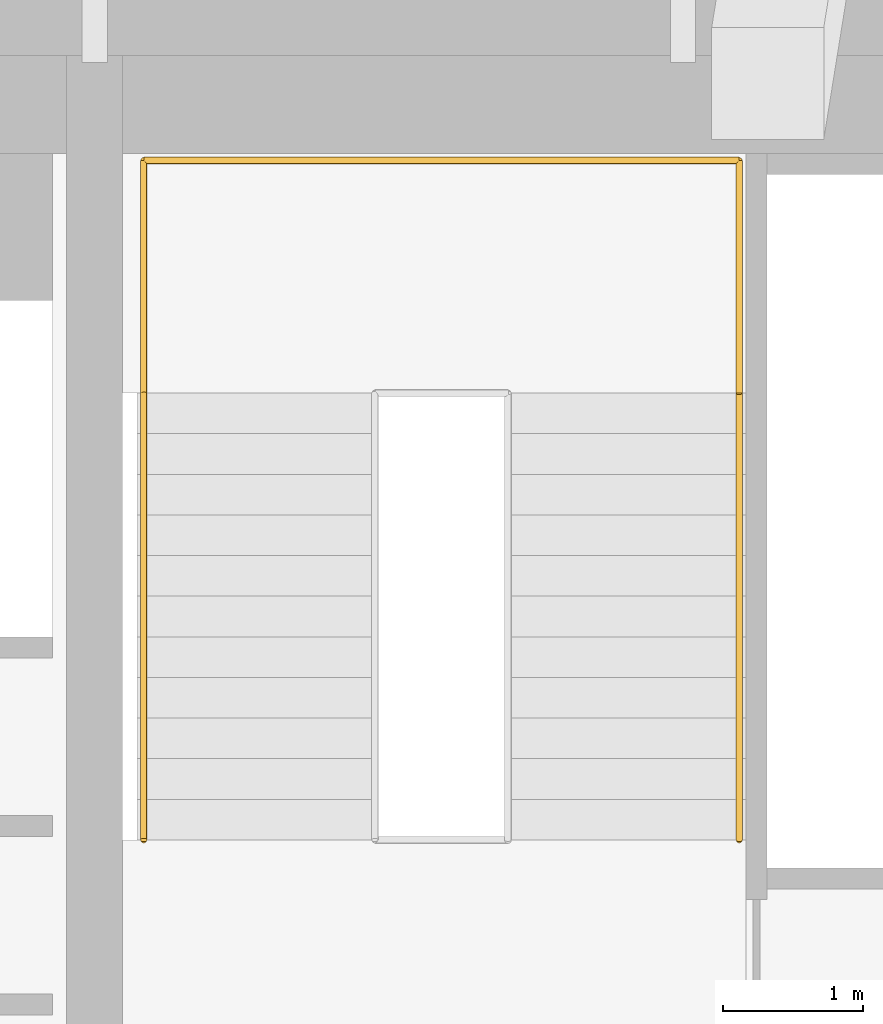
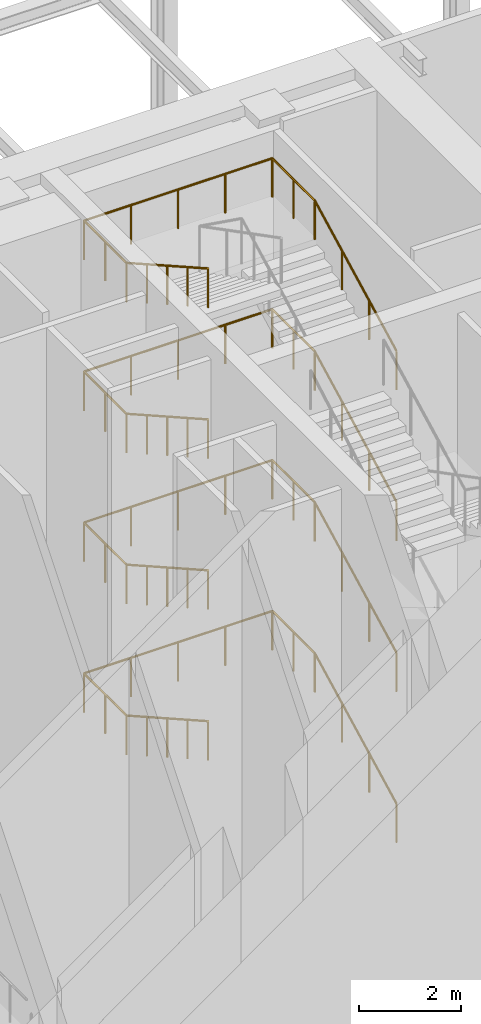
# One storey, part 20 of 20: 4 railings.
"""IFC4 building model written with IfcOpenShell, lengths in metres."""

from ifc_helpers import new_model, si_unit, direction, frame, origin, origin_2d, place, context, subcontext, project, spatial, circle, extrude, material, type_object, element, save


model = new_model("IFC4")

# Units and contexts
model_context = context("Model", 3, precision=1e-05, world=origin(), true_north=direction((0.0, 1.0)))
body_context = subcontext(model_context, "Body", "Model", "MODEL_VIEW")
ifc_project = project(units=[si_unit("LENGTHUNIT", "METRE"), si_unit("AREAUNIT", "SQUARE_METRE"), si_unit("VOLUMEUNIT", "CUBIC_METRE"), si_unit("PLANEANGLEUNIT", "RADIAN"), si_unit("MASSUNIT", "GRAM", prefix="KILO")], contexts=[model_context])

# Site, building, storey
site_placement = place(None, origin())
site = spatial("IfcSite", under=ifc_project, at=site_placement, CompositionType="ELEMENT")
building_placement = place(site_placement, origin())
building = spatial("IfcBuilding", under=site, at=building_placement, Name="Marenta Gate Hotel Tower", CompositionType="ELEMENT")
storey_placement = place(building_placement, frame((0.0, 0.0, 252.5)))
storey = spatial("IfcBuildingStorey", under=building, at=storey_placement, Name="L60", CompositionType="ELEMENT", Elevation=252.5)

# Railings
ifc_material = material(Name="Stainless steel", Category="steel")
railing_type = type_object("IfcRailingType", Name="Core stair handrail 950", PredefinedType="HANDRAIL", material=ifc_material)
railing_1_placement = place(storey_placement, frame((8.800048828125, 10.39990234375, 0.14990234375)))
element("IfcRailing", 1, at=railing_1_placement, inside=storey, type_object=railing_type, Name="HR-950 L60-KR-ST4-1", PredefinedType="HANDRAIL", context=body_context, shape_type="SweptSolid", body=[
    extrude(circle(Radius=0.02392578125, at=origin_2d()), frame((0.0, 0.0, 0.92578125), z_axis=(0.0, 0.888211904222, 0.459434013977), x_axis=(-1.0, 0.0, 0.0)), (0.0, 0.0, 1.0), 3.591796875),
    extrude(circle(Radius=0.02392578125, at=origin_2d()), frame((0.0, 3.190185546875, 2.576171875), z_axis=(0.0, 1.0, 0.0), x_axis=(-1.0, 0.0, 0.0)), (0.0, 0.0, 1.0), 1.659912109375),
    extrude(circle(Radius=0.02392578125, at=origin_2d()), frame((0.0, 4.85009765625, 2.576171875), z_axis=(-1.0, 0.0, 0.0), x_axis=(0.0, -1.0, 0.0)), (0.0, 0.0, 1.0), 4.25),
    extrude(circle(Radius=0.02392578125, at=origin_2d()), frame((-4.25, 4.85009765625, 2.576171875), z_axis=(0.0, -1.0, 0.0), x_axis=(1.0, 0.0, 0.0)), (0.0, 0.0, 1.0), 1.659912109375),
    extrude(circle(Radius=0.02392578125, at=origin_2d()), frame((-4.25, 3.190185546875, 2.576171875), z_axis=(0.0, -0.870925075533, 0.491415824742), x_axis=(1.0, 0.0, 0.0)), (0.0, 0.0, 1.0), 3.6630859375),
    extrude(circle(Radius=0.02099609375, at=origin_2d()), origin(), (0.0, 0.0, 1.0), 0.90185546875),
    extrude(circle(Radius=0.02099609375, at=origin_2d()), frame((0.0, 1.0634765625, 0.550048828125)), (0.0, 0.0, 1.0), 0.90185546875),
    extrude(circle(Radius=0.02099609375, at=origin_2d()), frame((0.0, 2.126708984375, 1.10009765625)), (0.0, 0.0, 1.0), 0.90185546875),
    extrude(circle(Radius=0.02099609375, at=origin_2d()), frame((0.0, 3.190185546875, 1.650146484375)), (0.0, 0.0, 1.0), 0.90185546875),
    extrude(circle(Radius=0.02099609375, at=origin_2d()), frame((0.0, 4.02001953125, 1.650146484375)), (0.0, 0.0, 1.0), 0.90185546875),
    extrude(circle(Radius=0.02099609375, at=origin_2d()), frame((0.0, 4.85009765625, 1.650146484375)), (0.0, 0.0, 1.0), 0.90185546875),
    extrude(circle(Radius=0.02099609375, at=origin_2d()), frame((-1.0625, 4.85009765625, 1.650146484375)), (0.0, 0.0, 1.0), 0.90185546875),
    extrude(circle(Radius=0.02099609375, at=origin_2d()), frame((-2.125, 4.85009765625, 1.650146484375)), (0.0, 0.0, 1.0), 0.90185546875),
    extrude(circle(Radius=0.02099609375, at=origin_2d()), frame((-3.1875, 4.85009765625, 1.650146484375)), (0.0, 0.0, 1.0), 0.90185546875),
    extrude(circle(Radius=0.02099609375, at=origin_2d()), frame((-4.25, 4.85009765625, 1.650146484375)), (0.0, 0.0, 1.0), 0.90185546875),
    extrude(circle(Radius=0.02099609375, at=origin_2d()), frame((-4.25, 4.02001953125, 1.650146484375)), (0.0, 0.0, 1.0), 0.90185546875),
    extrude(circle(Radius=0.02099609375, at=origin_2d()), frame((-4.25, 3.190185546875, 1.650146484375)), (0.0, 0.0, 1.0), 0.90185546875),
    extrude(circle(Radius=0.02099609375, at=origin_2d()), frame((-4.25, 2.392578125, 2.10009765625)), (0.0, 0.0, 1.0), 0.90185546875),
    extrude(circle(Radius=0.02099609375, at=origin_2d()), frame((-4.25, 1.59521484375, 2.55029296875)), (0.0, 0.0, 1.0), 0.90185546875),
    extrude(circle(Radius=0.02099609375, at=origin_2d()), frame((-4.25, 0.797607421875, 3.000244140625)), (0.0, 0.0, 1.0), 0.90185546875),
    extrude(circle(Radius=0.02099609375, at=origin_2d()), frame((-4.25, 0.0, 3.4501953125)), (0.0, 0.0, 1.0), 0.90185546875),
])
railing_2_placement = place(storey_placement, frame((8.800048828125, 10.39990234375, 3.75)))
element("IfcRailing", 2, at=railing_2_placement, inside=storey, type_object=railing_type, Name="HR-950 L60-KR-ST4-3", PredefinedType="HANDRAIL", context=body_context, shape_type="SweptSolid", body=[
    extrude(circle(Radius=0.02392578125, at=origin_2d()), frame((0.0, 0.0, 0.92578125), z_axis=(0.0, 0.888239641807, 0.459380385653), x_axis=(-1.0, 0.0, 0.0)), (0.0, 0.0, 1.0), 3.591552734375),
    extrude(circle(Radius=0.02392578125, at=origin_2d()), frame((0.0, 3.190185546875, 2.57568359375), z_axis=(0.0, 1.0, 0.0), x_axis=(-1.0, 0.0, 0.0)), (0.0, 0.0, 1.0), 1.659912109375),
    extrude(circle(Radius=0.02392578125, at=origin_2d()), frame((0.0, 4.85009765625, 2.57568359375), z_axis=(-1.0, 0.0, 0.0), x_axis=(0.0, -1.0, 0.0)), (0.0, 0.0, 1.0), 4.25),
    extrude(circle(Radius=0.02392578125, at=origin_2d()), frame((-4.25, 4.85009765625, 2.57568359375), z_axis=(0.0, -1.0, 0.0), x_axis=(1.0, 0.0, 0.0)), (0.0, 0.0, 1.0), 1.659912109375),
    extrude(circle(Radius=0.02392578125, at=origin_2d()), frame((-4.25, 3.190185546875, 2.57568359375), z_axis=(0.0, -0.870925075533, 0.491415824742), x_axis=(1.0, 0.0, 0.0)), (0.0, 0.0, 1.0), 3.6630859375),
    extrude(circle(Radius=0.02099609375, at=origin_2d()), origin(), (0.0, 0.0, 1.0), 0.90185546875),
    extrude(circle(Radius=0.02099609375, at=origin_2d()), frame((0.0, 1.0634765625, 0.550048828125)), (0.0, 0.0, 1.0), 0.90185546875),
    extrude(circle(Radius=0.02099609375, at=origin_2d()), frame((0.0, 2.126708984375, 1.099853515625)), (0.0, 0.0, 1.0), 0.90185546875),
    extrude(circle(Radius=0.02099609375, at=origin_2d()), frame((0.0, 3.190185546875, 1.64990234375)), (0.0, 0.0, 1.0), 0.90185546875),
    extrude(circle(Radius=0.02099609375, at=origin_2d()), frame((0.0, 4.02001953125, 1.64990234375)), (0.0, 0.0, 1.0), 0.90185546875),
    extrude(circle(Radius=0.02099609375, at=origin_2d()), frame((0.0, 4.85009765625, 1.64990234375)), (0.0, 0.0, 1.0), 0.90185546875),
    extrude(circle(Radius=0.02099609375, at=origin_2d()), frame((-1.0625, 4.85009765625, 1.64990234375)), (0.0, 0.0, 1.0), 0.90185546875),
    extrude(circle(Radius=0.02099609375, at=origin_2d()), frame((-2.125, 4.85009765625, 1.64990234375)), (0.0, 0.0, 1.0), 0.90185546875),
    extrude(circle(Radius=0.02099609375, at=origin_2d()), frame((-3.1875, 4.85009765625, 1.64990234375)), (0.0, 0.0, 1.0), 0.90185546875),
    extrude(circle(Radius=0.02099609375, at=origin_2d()), frame((-4.25, 4.85009765625, 1.64990234375)), (0.0, 0.0, 1.0), 0.90185546875),
    extrude(circle(Radius=0.02099609375, at=origin_2d()), frame((-4.25, 4.02001953125, 1.64990234375)), (0.0, 0.0, 1.0), 0.90185546875),
    extrude(circle(Radius=0.02099609375, at=origin_2d()), frame((-4.25, 3.190185546875, 1.64990234375)), (0.0, 0.0, 1.0), 0.90185546875),
    extrude(circle(Radius=0.02099609375, at=origin_2d()), frame((-4.25, 2.392578125, 2.099853515625)), (0.0, 0.0, 1.0), 0.90185546875),
    extrude(circle(Radius=0.02099609375, at=origin_2d()), frame((-4.25, 1.59521484375, 2.5498046875)), (0.0, 0.0, 1.0), 0.90185546875),
    extrude(circle(Radius=0.02099609375, at=origin_2d()), frame((-4.25, 0.797607421875, 3.0)), (0.0, 0.0, 1.0), 0.90185546875),
    extrude(circle(Radius=0.02099609375, at=origin_2d()), frame((-4.25, 0.0, 3.449951171875)), (0.0, 0.0, 1.0), 0.90185546875),
])
railing_3_placement = place(storey_placement, frame((8.800048828125, 10.39990234375, 7.35009765625)))
element("IfcRailing", 3, at=railing_3_placement, inside=storey, type_object=railing_type, Name="HR-950 L60-KR-ST4-5", PredefinedType="HANDRAIL", context=body_context, shape_type="SweptSolid", body=[
    extrude(circle(Radius=0.02392578125, at=origin_2d()), frame((0.0, 0.0, 0.92578125), z_axis=(0.0, 0.888239641807, 0.459380385653), x_axis=(-1.0, 0.0, 0.0)), (0.0, 0.0, 1.0), 3.591552734375),
    extrude(circle(Radius=0.02392578125, at=origin_2d()), frame((0.0, 3.190185546875, 2.57568359375), z_axis=(0.0, 1.0, 0.0), x_axis=(-1.0, 0.0, 0.0)), (0.0, 0.0, 1.0), 1.659912109375),
    extrude(circle(Radius=0.02392578125, at=origin_2d()), frame((0.0, 4.85009765625, 2.57568359375), z_axis=(-1.0, 0.0, 0.0), x_axis=(0.0, -1.0, 0.0)), (0.0, 0.0, 1.0), 4.25),
    extrude(circle(Radius=0.02392578125, at=origin_2d()), frame((-4.25, 4.85009765625, 2.57568359375), z_axis=(0.0, -1.0, 0.0), x_axis=(1.0, 0.0, 0.0)), (0.0, 0.0, 1.0), 1.659912109375),
    extrude(circle(Radius=0.02392578125, at=origin_2d()), frame((-4.25, 3.190185546875, 2.57568359375), z_axis=(0.0, -0.870925075533, 0.491415824742), x_axis=(1.0, 0.0, 0.0)), (0.0, 0.0, 1.0), 3.6630859375),
    extrude(circle(Radius=0.02099609375, at=origin_2d()), origin(), (0.0, 0.0, 1.0), 0.90185546875),
    extrude(circle(Radius=0.02099609375, at=origin_2d()), frame((0.0, 1.0634765625, 0.550048828125)), (0.0, 0.0, 1.0), 0.90185546875),
    extrude(circle(Radius=0.02099609375, at=origin_2d()), frame((0.0, 2.126708984375, 1.099853515625)), (0.0, 0.0, 1.0), 0.90185546875),
    extrude(circle(Radius=0.02099609375, at=origin_2d()), frame((0.0, 3.190185546875, 1.64990234375)), (0.0, 0.0, 1.0), 0.90185546875),
    extrude(circle(Radius=0.02099609375, at=origin_2d()), frame((0.0, 4.02001953125, 1.64990234375)), (0.0, 0.0, 1.0), 0.90185546875),
    extrude(circle(Radius=0.02099609375, at=origin_2d()), frame((0.0, 4.85009765625, 1.64990234375)), (0.0, 0.0, 1.0), 0.90185546875),
    extrude(circle(Radius=0.02099609375, at=origin_2d()), frame((-1.0625, 4.85009765625, 1.64990234375)), (0.0, 0.0, 1.0), 0.90185546875),
    extrude(circle(Radius=0.02099609375, at=origin_2d()), frame((-2.125, 4.85009765625, 1.64990234375)), (0.0, 0.0, 1.0), 0.90185546875),
    extrude(circle(Radius=0.02099609375, at=origin_2d()), frame((-3.1875, 4.85009765625, 1.64990234375)), (0.0, 0.0, 1.0), 0.90185546875),
    extrude(circle(Radius=0.02099609375, at=origin_2d()), frame((-4.25, 4.85009765625, 1.64990234375)), (0.0, 0.0, 1.0), 0.90185546875),
    extrude(circle(Radius=0.02099609375, at=origin_2d()), frame((-4.25, 4.02001953125, 1.64990234375)), (0.0, 0.0, 1.0), 0.90185546875),
    extrude(circle(Radius=0.02099609375, at=origin_2d()), frame((-4.25, 3.190185546875, 1.64990234375)), (0.0, 0.0, 1.0), 0.90185546875),
    extrude(circle(Radius=0.02099609375, at=origin_2d()), frame((-4.25, 2.392578125, 2.099853515625)), (0.0, 0.0, 1.0), 0.90185546875),
    extrude(circle(Radius=0.02099609375, at=origin_2d()), frame((-4.25, 1.59521484375, 2.5498046875)), (0.0, 0.0, 1.0), 0.90185546875),
    extrude(circle(Radius=0.02099609375, at=origin_2d()), frame((-4.25, 0.797607421875, 3.0)), (0.0, 0.0, 1.0), 0.90185546875),
    extrude(circle(Radius=0.02099609375, at=origin_2d()), frame((-4.25, 0.0, 3.449951171875)), (0.0, 0.0, 1.0), 0.90185546875),
])
railing_4_placement = place(storey_placement, frame((8.800048828125, 10.39990234375, 10.949951171875)))
element("IfcRailing", 4, at=railing_4_placement, inside=storey, type_object=railing_type, Name="HR-950 L60-KR-ST4-7", PredefinedType="HANDRAIL", context=body_context, shape_type="SweptSolid", body=[
    extrude(circle(Radius=0.02392578125, at=origin_2d()), frame((0.0, 0.0, 0.92578125), z_axis=(0.0, 0.888211904222, 0.459434013977), x_axis=(-1.0, 0.0, 0.0)), (0.0, 0.0, 1.0), 3.591796875),
    extrude(circle(Radius=0.02392578125, at=origin_2d()), frame((0.0, 3.190185546875, 2.576171875), z_axis=(0.0, 1.0, 0.0), x_axis=(-1.0, 0.0, 0.0)), (0.0, 0.0, 1.0), 1.659912109375),
    extrude(circle(Radius=0.02392578125, at=origin_2d()), frame((0.0, 4.85009765625, 2.576171875), z_axis=(-1.0, 0.0, 0.0), x_axis=(0.0, -1.0, 0.0)), (0.0, 0.0, 1.0), 4.25),
    extrude(circle(Radius=0.02392578125, at=origin_2d()), frame((-4.25, 4.85009765625, 2.576171875), z_axis=(0.0, -1.0, 0.0), x_axis=(1.0, 0.0, 0.0)), (0.0, 0.0, 1.0), 1.659912109375),
    extrude(circle(Radius=0.02392578125, at=origin_2d()), frame((-4.25, 3.190185546875, 2.576171875), z_axis=(0.0, -0.870953600603, 0.491365266982), x_axis=(1.0, 0.0, 0.0)), (0.0, 0.0, 1.0), 3.662841796875),
    extrude(circle(Radius=0.02099609375, at=origin_2d()), origin(), (0.0, 0.0, 1.0), 0.90185546875),
    extrude(circle(Radius=0.02099609375, at=origin_2d()), frame((0.0, 1.0634765625, 0.550048828125)), (0.0, 0.0, 1.0), 0.90185546875),
    extrude(circle(Radius=0.02099609375, at=origin_2d()), frame((0.0, 2.126708984375, 1.10009765625)), (0.0, 0.0, 1.0), 0.90185546875),
    extrude(circle(Radius=0.02099609375, at=origin_2d()), frame((0.0, 3.190185546875, 1.650146484375)), (0.0, 0.0, 1.0), 0.90185546875),
    extrude(circle(Radius=0.02099609375, at=origin_2d()), frame((0.0, 4.02001953125, 1.650146484375)), (0.0, 0.0, 1.0), 0.90185546875),
    extrude(circle(Radius=0.02099609375, at=origin_2d()), frame((0.0, 4.85009765625, 1.650146484375)), (0.0, 0.0, 1.0), 0.90185546875),
    extrude(circle(Radius=0.02099609375, at=origin_2d()), frame((-1.0625, 4.85009765625, 1.650146484375)), (0.0, 0.0, 1.0), 0.90185546875),
    extrude(circle(Radius=0.02099609375, at=origin_2d()), frame((-2.125, 4.85009765625, 1.650146484375)), (0.0, 0.0, 1.0), 0.90185546875),
    extrude(circle(Radius=0.02099609375, at=origin_2d()), frame((-3.1875, 4.85009765625, 1.650146484375)), (0.0, 0.0, 1.0), 0.90185546875),
    extrude(circle(Radius=0.02099609375, at=origin_2d()), frame((-4.25, 4.85009765625, 1.650146484375)), (0.0, 0.0, 1.0), 0.90185546875),
    extrude(circle(Radius=0.02099609375, at=origin_2d()), frame((-4.25, 4.02001953125, 1.650146484375)), (0.0, 0.0, 1.0), 0.90185546875),
    extrude(circle(Radius=0.02099609375, at=origin_2d()), frame((-4.25, 3.190185546875, 1.650146484375)), (0.0, 0.0, 1.0), 0.90185546875),
    extrude(circle(Radius=0.02099609375, at=origin_2d()), frame((-4.25, 2.392578125, 2.10009765625)), (0.0, 0.0, 1.0), 0.90185546875),
    extrude(circle(Radius=0.02099609375, at=origin_2d()), frame((-4.25, 1.59521484375, 2.550048828125)), (0.0, 0.0, 1.0), 0.90185546875),
    extrude(circle(Radius=0.02099609375, at=origin_2d()), frame((-4.25, 0.797607421875, 3.0)), (0.0, 0.0, 1.0), 0.90185546875),
    extrude(circle(Radius=0.02099609375, at=origin_2d()), frame((-4.25, 0.0, 3.449951171875)), (0.0, 0.0, 1.0), 0.90185546875),
])

save(model, "model.ifc")
